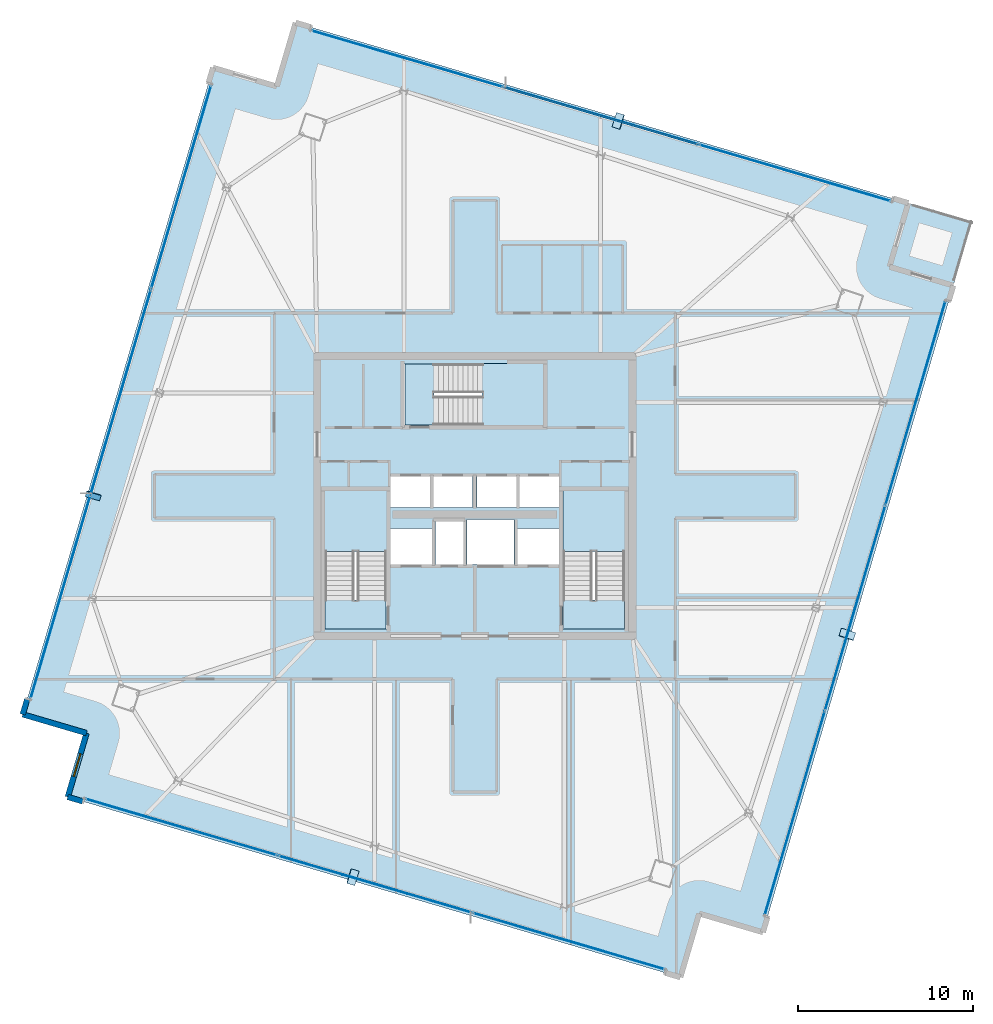
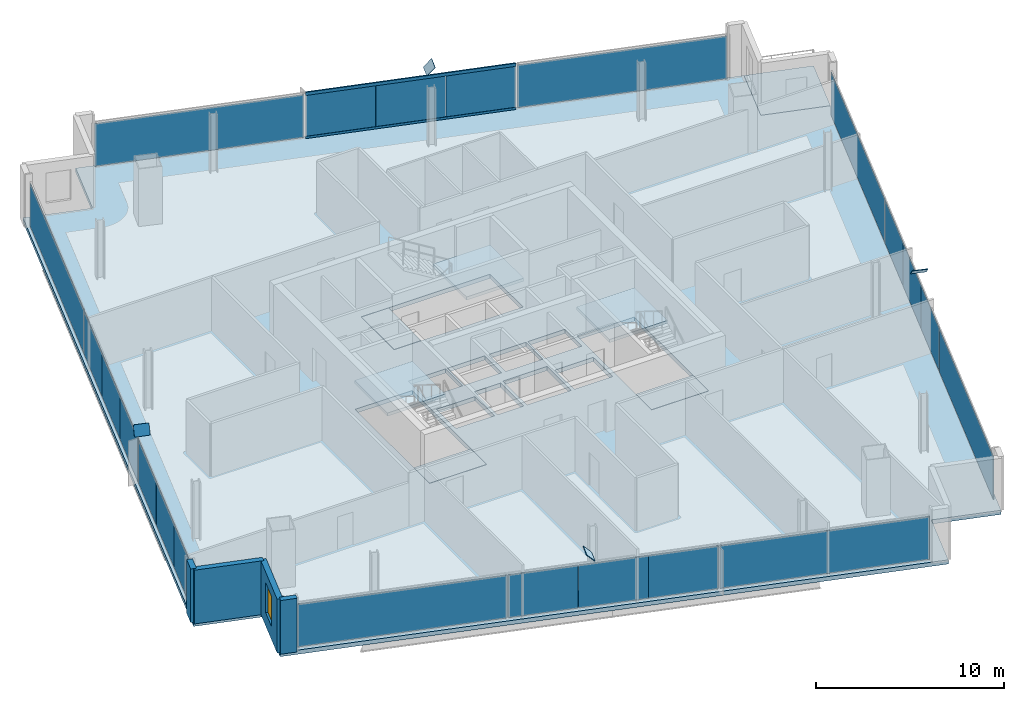
# One storey, part 19 of 26: 26 plates, 8 slabs, 4 walls, 2 members, 1 window, 1 opening, 7 elements without a shape of their own.
"""IFC4 building model written with IfcOpenShell, lengths in metres."""

from ifc_helpers import new_model, si_unit, direction, frame, frame_2d, origin, origin_2d, place, context, subcontext, project, spatial, polyline, rectangle, hollow_rectangle, outline, extrude, source, transform, mapped, material, layer, layer_set, material_profile, profile_set, type_object, element, fill, aggregate, save


model = new_model("IFC4")

# Units and contexts
model_context = context("Model", 3, precision=1e-05, world=origin(), true_north=direction((0.0, 1.0)))
body_context = subcontext(model_context, "Body", "Model", "MODEL_VIEW")
ifc_project = project(units=[si_unit("LENGTHUNIT", "METRE"), si_unit("AREAUNIT", "SQUARE_METRE"), si_unit("VOLUMEUNIT", "CUBIC_METRE"), si_unit("PLANEANGLEUNIT", "RADIAN"), si_unit("MASSUNIT", "GRAM", prefix="KILO")], contexts=[model_context])

# Site, building, storey
site_placement = place(None, origin())
site = spatial("IfcSite", under=ifc_project, at=site_placement, CompositionType="ELEMENT")
building_placement = place(site_placement, origin())
building = spatial("IfcBuilding", under=site, at=building_placement, Name="Haldenkirk Collegiate Tower", CompositionType="ELEMENT")
storey_placement = place(building_placement, frame((0.0, 0.0, 274.949951171875)))
storey = spatial("IfcBuildingStorey", under=building, at=storey_placement, Name="L69", CompositionType="ELEMENT", Elevation=274.949951171875)

# Curtain wall, members
ifc_material_1 = material(Name="Anodised architectural bronze aluminium", Category="aluminium")
curtain_wall_type_1 = type_object("IfcCurtainWallType", Name="CW-SYS1B-CONVEX-HI", PredefinedType="USERDEFINED", material=ifc_material_1)
curtain_wall_1_placement = place(storey_placement, origin())
curtain_wall_1 = element("IfcCurtainWall", 1, at=curtain_wall_1_placement, inside=storey, type_object=curtain_wall_type_1, Name="L69 Upper tower high-wind convex bronze unitised curtain wall", ObjectType="UNITISED CURTAIN WALL", PredefinedType="USERDEFINED")
ifc_material_profile = material_profile(ifc_material_1, hollow_rectangle(XDim=0.0849609375, YDim=0.199951171875, WallThickness=0.0048828125, at=origin_2d()), Name="CW-TRN-1B")
ifc_profile_set = profile_set([ifc_material_profile], Name="Anodised architectural bronze aluminium")
member_type = type_object("IfcMemberType", Name="CW-TRN-1B", PredefinedType="USERDEFINED", material=ifc_profile_set)
member_1_placement = place(storey_placement, frame((37.709228515625, 49.3369140625, 0.04248046875), z_axis=(0.95931194848, -0.282348340713, 0.0), x_axis=(0.282348340713, 0.95931194848, 0.0)))
member_1 = element("IfcMember", 2, at=member_1_placement, type_object=member_type, Name="CW-1B transom 2.1", ObjectType="TRANSOM", PredefinedType="USERDEFINED", context=body_context, shape_type="SweptSolid", body=[
    extrude(hollow_rectangle(XDim=0.0849609375, YDim=0.199951171875, WallThickness=0.0048828125, at=origin_2d()), origin(), (0.0, 0.0, 1.0), 11.473388671875),
])
member_2_placement = place(storey_placement, frame((37.709228515625, 49.3369140625, 2.8955078125), z_axis=(0.95931194848, -0.282348340713, 0.0), x_axis=(0.282348340713, 0.95931194848, 0.0)))
member_2 = element("IfcMember", 3, at=member_2_placement, type_object=member_type, Name="CW-1B transom 2.2", ObjectType="TRANSOM", PredefinedType="USERDEFINED", context=body_context, shape_type="SweptSolid", body=[
    extrude(hollow_rectangle(XDim=0.0849609375, YDim=0.199951171875, WallThickness=0.0048828125, at=origin_2d()), origin(), (0.0, 0.0, 1.0), 11.473388671875),
])

# Slab
ifc_material_2 = material(Name="Concrete f'c 40 MPa", Category="concrete")
ifc_layer_1 = layer(ifc_material_2, 0.27001953125)
ifc_layer_set_1 = layer_set([ifc_layer_1], Name="Concrete f'c 40 MPa")
slab_type_1 = type_object("IfcSlabType", Name="SLB-FLR-270", PredefinedType="FLOOR", material=ifc_layer_set_1)
slab_1_placement = place(storey_placement, frame((0.0, 0.0, -0.27001953125)))
element("IfcSlab", 4, at=slab_1_placement, inside=storey, type_object=slab_type_1, Name="L69 composite structural floor slab", PredefinedType="FLOOR", context=body_context, shape_type="SweptSolid", body=[
    extrude(outline(polyline([(52.461181640625, 1.0888671875), (63.331298828125, 38.0224609375), (59.68603515625, 39.09521484375), (60.7587890625, 42.740478515625), (25.767822265625, 53.0390625), (24.695068359375, 49.393798828125), (21.0498046875, 50.466552734375), (10.179443359375, 13.532958984375), (13.824951171875, 12.460205078125), (12.751953125, 8.814697265625), (47.742919921875, -1.483642578125), (48.81591796875, 2.16162109375), (52.461181640625, 1.0888671875)]), holes=[polyline([(27.449951171875, 18.39990234375), (30.949951171875, 18.39990234375), (30.949951171875, 26.300048828125), (27.449951171875, 26.300048828125), (27.449951171875, 18.39990234375)]), polyline([(41.050048828125, 18.39990234375), (44.550048828125, 18.39990234375), (44.550048828125, 26.300048828125), (41.050048828125, 26.300048828125), (41.050048828125, 18.39990234375)]), polyline([(32.0, 30.050048828125), (39.89990234375, 30.050048828125), (39.89990234375, 33.550048828125), (32.0, 33.550048828125), (32.0, 30.050048828125)]), polyline([(33.75, 22.10009765625), (35.35009765625, 22.10009765625), (35.35009765625, 24.550048828125), (33.75, 24.550048828125), (33.75, 22.10009765625)]), polyline([(31.199951171875, 25.35009765625), (33.47998046875, 25.35009765625), (33.47998046875, 27.14990234375), (31.199951171875, 27.14990234375), (31.199951171875, 25.35009765625)]), polyline([(33.60009765625, 25.35009765625), (35.8798828125, 25.35009765625), (35.8798828125, 27.14990234375), (33.60009765625, 27.14990234375), (33.60009765625, 25.35009765625)]), polyline([(36.1201171875, 25.35009765625), (38.39990234375, 25.35009765625), (38.39990234375, 27.14990234375), (36.1201171875, 27.14990234375), (36.1201171875, 25.35009765625)]), polyline([(38.52001953125, 25.35009765625), (40.800048828125, 25.35009765625), (40.800048828125, 27.14990234375), (38.52001953125, 27.14990234375), (38.52001953125, 25.35009765625)]), polyline([(31.199951171875, 22.10009765625), (33.550048828125, 22.10009765625), (33.550048828125, 24.14990234375), (31.199951171875, 24.14990234375), (31.199951171875, 22.10009765625)]), polyline([(38.449951171875, 22.10009765625), (40.800048828125, 22.10009765625), (40.800048828125, 24.14990234375), (38.449951171875, 24.14990234375), (38.449951171875, 22.10009765625)]), polyline([(35.550048828125, 22.10009765625), (38.25, 22.10009765625), (38.25, 24.64990234375), (35.550048828125, 24.64990234375), (35.550048828125, 22.10009765625)])]), origin(), (0.0, 0.0, 1.0), 0.27001953125),
])

# Stair, slab
stair_type = type_object("IfcStairType", Name="STR-DOGLEG-1650", PredefinedType="HALF_TURN_STAIR", material=ifc_material_2)
stair_1_placement = place(storey_placement, origin())
stair_1 = element("IfcStair", 5, at=stair_1_placement, inside=storey, type_object=stair_type, Name="L69 Core Exit Stair ST-1", PredefinedType="HALF_TURN_STAIR")
ifc_layer_2 = layer(ifc_material_2, 0.199951171875)
ifc_layer_set_2 = layer_set([ifc_layer_2], Name="Concrete f'c 40 MPa")
slab_type_2 = type_object("IfcSlabType", Name="SLB-LANDING-200", PredefinedType="LANDING", material=ifc_layer_set_2)
slab_2_placement = place(storey_placement, frame((0.0, 0.0, 1.675048828125)))
slab_2 = element("IfcSlab", 6, at=slab_2_placement, type_object=slab_type_2, Name="ST-1 landing 1", PredefinedType="LANDING", context=body_context, shape_type="SweptSolid", body=[
    extrude(outline(polyline([(30.97509765625, 22.824951171875), (27.425048828125, 22.824951171875), (27.425048828125, 26.324951171875), (30.97509765625, 26.324951171875), (30.97509765625, 22.824951171875)])), origin(), (0.0, 0.0, 1.0), 0.199951171875),
])
aggregate(stair_1, [slab_2])

stair_2_placement = place(storey_placement, origin())
stair_2 = element("IfcStair", 7, at=stair_2_placement, inside=storey, type_object=stair_type, Name="L69 Core Exit Stair ST-2", PredefinedType="HALF_TURN_STAIR")
slab_3_placement = place(storey_placement, frame((0.0, 0.0, 1.675048828125)))
slab_3 = element("IfcSlab", 8, at=slab_3_placement, type_object=slab_type_2, Name="ST-2 landing 1", PredefinedType="LANDING", context=body_context, shape_type="SweptSolid", body=[
    extrude(outline(polyline([(44.574951171875, 22.824951171875), (41.02490234375, 22.824951171875), (41.02490234375, 26.324951171875), (44.574951171875, 26.324951171875), (44.574951171875, 22.824951171875)])), origin(), (0.0, 0.0, 1.0), 0.199951171875),
])
aggregate(stair_2, [slab_3])

stair_3_placement = place(storey_placement, origin())
stair_3 = element("IfcStair", 9, at=stair_3_placement, inside=storey, type_object=stair_type, Name="L69 Core Exit Stair ST-3", PredefinedType="HALF_TURN_STAIR")
slab_4_placement = place(storey_placement, frame((0.0, 0.0, 1.675048828125)))
slab_4 = element("IfcSlab", 10, at=slab_4_placement, type_object=slab_type_2, Name="ST-3 landing 1", PredefinedType="LANDING", context=body_context, shape_type="SweptSolid", body=[
    extrude(outline(polyline([(36.425048828125, 30.02490234375), (36.425048828125, 33.574951171875), (39.925048828125, 33.574951171875), (39.925048828125, 30.02490234375), (36.425048828125, 30.02490234375)])), origin(), (0.0, 0.0, 1.0), 0.199951171875),
])
aggregate(stair_3, [slab_4])

# Slabs
ifc_layer_3 = layer(ifc_material_2, 0.25)
ifc_layer_set_3 = layer_set([ifc_layer_3], Name="Concrete f'c 40 MPa")
slab_type_3 = type_object("IfcSlabType", Name="SLB-STAIRLAND-250", PredefinedType="LANDING", material=ifc_layer_set_3)
slab_5_placement = place(storey_placement, frame((0.0, 0.0, -0.25)))
element("IfcSlab", 11, at=slab_5_placement, inside=storey, type_object=slab_type_3, Name="L69 stair ST1 structural floor landing slab", PredefinedType="LANDING", context=body_context, shape_type="SweptSolid", body=[
    extrude(outline(polyline([(27.4599609375, 18.409912109375), (30.93994140625, 18.409912109375), (30.93994140625, 20.080078125), (27.4599609375, 20.080078125), (27.4599609375, 18.409912109375)])), origin(), (0.0, 0.0, 1.0), 0.25),
])
slab_6_placement = place(storey_placement, frame((0.0, 0.0, -0.25)))
element("IfcSlab", 12, at=slab_6_placement, inside=storey, type_object=slab_type_3, Name="L69 stair ST2 structural floor landing slab", PredefinedType="LANDING", context=body_context, shape_type="SweptSolid", body=[
    extrude(outline(polyline([(41.06005859375, 18.409912109375), (44.5400390625, 18.409912109375), (44.5400390625, 20.080078125), (41.06005859375, 20.080078125), (41.06005859375, 18.409912109375)])), origin(), (0.0, 0.0, 1.0), 0.25),
])
slab_7_placement = place(storey_placement, frame((0.0, 0.0, -0.25)))
element("IfcSlab", 13, at=slab_7_placement, inside=storey, type_object=slab_type_3, Name="L69 stair ST3 structural floor landing slab", PredefinedType="LANDING", context=body_context, shape_type="SweptSolid", body=[
    extrude(outline(polyline([(32.010009765625, 30.06005859375), (33.679931640625, 30.06005859375), (33.679931640625, 33.5400390625), (32.010009765625, 33.5400390625), (32.010009765625, 30.06005859375)])), origin(), (0.0, 0.0, 1.0), 0.25),
])
ifc_layer_4 = layer(ifc_material_2, 0.22998046875)
ifc_layer_set_4 = layer_set([ifc_layer_4], Name="Concrete f'c 40 MPa")
slab_type_4 = type_object("IfcSlabType", Name="SLB-TERR-SPIRAL-230", PredefinedType="FLOOR", material=ifc_layer_set_4)
slab_8_placement = place(storey_placement, frame((0.0, 0.0, -0.22998046875)))
element("IfcSlab", 14, at=slab_8_placement, inside=storey, type_object=slab_type_4, Name="L69 spiralling corner terrace slab", PredefinedType="FLOOR", context=body_context, shape_type="SweptSolid", body=[
    extrude(outline(polyline([(63.331298828125, 38.0224609375), (64.404296875, 41.667724609375), (60.7587890625, 42.740478515625), (59.68603515625, 39.09521484375), (63.331298828125, 38.0224609375)])), origin(), (0.0, 0.0, 1.0), 0.22998046875),
])

# Plates
ifc_material_3 = material(Name="Steel ASTM A572 Grade 50", Category="steel")
ifc_layer_5 = layer(ifc_material_3, 0.034912109375)
ifc_layer_set_5 = layer_set([ifc_layer_5], Name="Steel ASTM A572 Grade 50")
plate_type_1 = type_object("IfcPlateType", Name="PLT-CAP-EXT-760X600", PredefinedType="USERDEFINED", material=ifc_layer_set_5)
shared_shape_1 = source(origin(), body_context, "Body", "SweptSolid", [
    extrude(rectangle(XDim=0.860107421875, YDim=0.659912109375, at=origin_2d()), origin(), (0.0, 0.0, 1.0), 0.034912109375),
])
for number, where, z_axis, x_axis, name in (
    (15, (57.273193359375, 18.08984375, 3.468017578125), (0.233503014049, 0.707188042548, 0.667354040152), (-0.949576295566, 0.313536056777, -3.4729e-08), "Perimeter Mega Brace Z5 L67-L69 SL end cap plate 2"),
    (16, (44.20654296875, 47.425537109375, 3.468017578125), (-0.690077881122, 0.2171059626, 0.690403881066), (-0.300108459614, -0.95390508567, 3.9388e-07), "Perimeter Mega Brace Z5 L67-L69 EL end cap plate 2"),
    (17, (14.210205078125, 26.0283203125, 3.46875), (-0.252051050649, -0.841553169108, 0.477764096005), (0.957956144289, -0.286914666091, -1.96475e-07), "Perimeter Mega Brace Z5 L67-L69 NL end cap plate 2"),
    (18, (29.02587890625, 4.23828125, 3.4677734375), (0.689271162879, -0.211775050044, 0.692861163728), (0.29369553424, 0.95589901829, -4.32963e-07), "Perimeter Mega Brace Z5 L67-L69 WL end cap plate 2"),
):
    element("IfcPlate", number, at=place(storey_placement, frame(where, z_axis=z_axis, x_axis=x_axis)), inside=storey, type_object=plate_type_1, Name=name, ObjectType="END CAP PLATE", PredefinedType="USERDEFINED", context=body_context, shape_type="MappedRepresentation", body=[
        mapped(shared_shape_1, transform((0.0, 0.0, 0.0), x_axis=(1.0, 0.0, 0.0), y_axis=(0.0, 1.0, 0.0), z_axis=(0.0, 0.0, 1.0), scale=1.0)),
    ])

# Curtain wall, plates
curtain_wall_type_2 = type_object("IfcCurtainWallType", Name="CW-SYS2-CONCAVE", PredefinedType="USERDEFINED", material=ifc_material_1)
curtain_wall_2_placement = place(storey_placement, origin())
curtain_wall_2 = element("IfcCurtainWall", 19, at=curtain_wall_2_placement, inside=storey, type_object=curtain_wall_type_2, Name="L69 South concave recessed bronze-anodised curtain wall", ObjectType="UNITISED CURTAIN WALL", PredefinedType="USERDEFINED")
ifc_material_4 = material(Name="Bronze-anodised insulated aluminium spandrel panel", Category="aluminium")
ifc_layer_6 = layer(ifc_material_4, 0.0419921875)
ifc_layer_set_6 = layer_set([ifc_layer_6], Name="Bronze-anodised insulated aluminium spandrel panel")
plate_type_2 = type_object("IfcPlateType", Name="CW-SPD-02", PredefinedType="CURTAIN_PANEL", material=ifc_layer_set_6)
shared_shape_2 = source(origin(), body_context, "Body", "SweptSolid", [
    extrude(rectangle(XDim=4.02783203125, YDim=0.0419921875, at=origin_2d()), origin(), (0.0, 0.0, 1.0), 2.7880859375),
])
plate_1_placement = place(storey_placement, frame((57.7236328125, 19.6064453125, 0.074951171875), z_axis=(0.0, 0.0, 1.0), x_axis=(-0.282340836558, -0.9593141571, 0.0)))
plate_1 = element("IfcPlate", 20, at=plate_1_placement, type_object=plate_type_2, Name="CW-02 spandrel panel 2.1b", PredefinedType="CURTAIN_PANEL", context=body_context, shape_type="MappedRepresentation", body=[
    mapped(shared_shape_2, transform((0.0, 0.0, 0.0), x_axis=(1.0, 0.0, 0.0), y_axis=(0.0, 1.0, 0.0), z_axis=(0.0, 0.0, 1.0), scale=1.0)),
])
shared_shape_3 = source(origin(), body_context, "Body", "SweptSolid", [
    extrude(rectangle(XDim=4.040283203125, YDim=0.0419921875, at=origin_2d()), origin(), (0.0, 0.0, 1.0), 2.7880859375),
])
plate_2_placement = place(storey_placement, frame((58.86962890625, 23.500244140625, 0.074951171875), z_axis=(0.0, 0.0, 1.0), x_axis=(-0.282340836558, -0.9593141571, 0.0)))
plate_2 = element("IfcPlate", 21, at=plate_2_placement, type_object=plate_type_2, Name="CW-02 spandrel panel 2.1a", PredefinedType="CURTAIN_PANEL", context=body_context, shape_type="MappedRepresentation", body=[
    mapped(shared_shape_3, transform((0.0, 0.0, 0.0), x_axis=(1.0, 0.0, 0.0), y_axis=(0.0, 1.0, 0.0), z_axis=(0.0, 0.0, 1.0), scale=1.0)),
])
plate_3_placement = place(storey_placement, frame((56.57763671875, 15.71240234375, 0.074951171875), z_axis=(0.0, 0.0, 1.0), x_axis=(-0.282340836558, -0.9593141571, 0.0)))
plate_3 = element("IfcPlate", 22, at=plate_3_placement, type_object=plate_type_2, Name="CW-02 spandrel panel 2.1c", PredefinedType="CURTAIN_PANEL", context=body_context, shape_type="MappedRepresentation", body=[
    mapped(shared_shape_3, transform((0.0, 0.0, 0.0), x_axis=(1.0, 0.0, 0.0), y_axis=(0.0, 1.0, 0.0), z_axis=(0.0, 0.0, 1.0), scale=1.0)),
])

# Plate
ifc_layer_7 = layer(ifc_material_4, 0.048095703125)
ifc_layer_set_7 = layer_set([ifc_layer_7], Name="Bronze-anodised insulated aluminium spandrel panel")
plate_type_3 = type_object("IfcPlateType", Name="CW-SPD-1B", PredefinedType="CURTAIN_PANEL", material=ifc_layer_set_7)
shared_shape_4 = source(origin(), body_context, "Body", "SweptSolid", [
    extrude(rectangle(XDim=3.81201171875, YDim=0.048095703125, at=origin_2d()), origin(), (0.0, 0.0, 1.0), 2.76806640625),
])
plate_4_placement = place(storey_placement, frame((39.537841796875, 48.798583984375, 0.0849609375), z_axis=(0.0, 0.0, 1.0), x_axis=(0.959313868809, -0.282341816085, 0.0)))
plate_4 = element("IfcPlate", 23, at=plate_4_placement, type_object=plate_type_3, Name="CW-1B spandrel panel 2.1a", PredefinedType="CURTAIN_PANEL", context=body_context, shape_type="MappedRepresentation", body=[
    mapped(shared_shape_4, transform((0.0, 0.0, 0.0), x_axis=(1.0, 0.0, 0.0), y_axis=(0.0, 1.0, 0.0), z_axis=(0.0, 0.0, 1.0), scale=1.0)),
])

plate_5_placement = place(storey_placement, frame((46.887451171875, 46.635498046875, 0.0849609375), z_axis=(0.0, 0.0, 1.0), x_axis=(0.959313868809, -0.282341816085, 0.0)))
plate_5 = element("IfcPlate", 24, at=plate_5_placement, type_object=plate_type_3, Name="CW-1B spandrel panel 2.1c", PredefinedType="CURTAIN_PANEL", context=body_context, shape_type="MappedRepresentation", body=[
    mapped(shared_shape_4, transform((0.0, 0.0, 0.0), x_axis=(1.0, 0.0, 0.0), y_axis=(0.0, 1.0, 0.0), z_axis=(0.0, 0.0, 1.0), scale=1.0)),
])

# Curtain wall, plates
curtain_wall_3_placement = place(storey_placement, origin())
curtain_wall_3 = element("IfcCurtainWall", 25, at=curtain_wall_3_placement, inside=storey, type_object=curtain_wall_type_1, Name="L69 Upper tower high-wind convex bronze unitised curtain wall", ObjectType="UNITISED CURTAIN WALL", PredefinedType="USERDEFINED")
plate_6_placement = place(storey_placement, frame((33.97314453125, 2.756591796875, 0.0849609375), z_axis=(0.0, 0.0, 1.0), x_axis=(-0.959313868809, 0.282341816085, 0.0)))
plate_6 = element("IfcPlate", 26, at=plate_6_placement, type_object=plate_type_3, Name="CW-1B spandrel panel 2.1a", PredefinedType="CURTAIN_PANEL", context=body_context, shape_type="MappedRepresentation", body=[
    mapped(shared_shape_4, transform((0.0, 0.0, 0.0), x_axis=(1.0, 0.0, 0.0), y_axis=(0.0, 1.0, 0.0), z_axis=(0.0, 0.0, 1.0), scale=1.0)),
])
plate_7_placement = place(storey_placement, frame((26.62353515625, 4.919921875, 0.0849609375), z_axis=(0.0, 0.0, 1.0), x_axis=(-0.959313868809, 0.282341816085, 0.0)))
plate_7 = element("IfcPlate", 27, at=plate_7_placement, type_object=plate_type_3, Name="CW-1B spandrel panel 2.1c", PredefinedType="CURTAIN_PANEL", context=body_context, shape_type="MappedRepresentation", body=[
    mapped(shared_shape_4, transform((0.0, 0.0, 0.0), x_axis=(1.0, 0.0, 0.0), y_axis=(0.0, 1.0, 0.0), z_axis=(0.0, 0.0, 1.0), scale=1.0)),
])

# Plate
shared_shape_5 = source(origin(), body_context, "Body", "SweptSolid", [
    extrude(rectangle(XDim=3.79931640625, YDim=0.048095703125, at=origin_2d()), origin(), (0.0, 0.0, 1.0), 2.76806640625),
])
plate_8_placement = place(storey_placement, frame((43.212646484375, 47.717041015625, 0.0849609375), z_axis=(0.0, 0.0, 1.0), x_axis=(0.959313868809, -0.282341816085, 0.0)))
plate_8 = element("IfcPlate", 28, at=plate_8_placement, type_object=plate_type_3, Name="CW-1B spandrel panel 2.1b", PredefinedType="CURTAIN_PANEL", context=body_context, shape_type="MappedRepresentation", body=[
    mapped(shared_shape_5, transform((0.0, 0.0, 0.0), x_axis=(1.0, 0.0, 0.0), y_axis=(0.0, 1.0, 0.0), z_axis=(0.0, 0.0, 1.0), scale=1.0)),
])

plate_9_placement = place(storey_placement, frame((30.29833984375, 3.838134765625, 0.0849609375), z_axis=(0.0, 0.0, 1.0), x_axis=(-0.959313868809, 0.282341816085, 0.0)))
plate_9 = element("IfcPlate", 29, at=plate_9_placement, type_object=plate_type_3, Name="CW-1B spandrel panel 2.1b", PredefinedType="CURTAIN_PANEL", context=body_context, shape_type="MappedRepresentation", body=[
    mapped(shared_shape_5, transform((0.0, 0.0, 0.0), x_axis=(1.0, 0.0, 0.0), y_axis=(0.0, 1.0, 0.0), z_axis=(0.0, 0.0, 1.0), scale=1.0)),
])

# Curtain wall, plates
curtain_wall_4_placement = place(storey_placement, origin())
curtain_wall_4 = element("IfcCurtainWall", 30, at=curtain_wall_4_placement, inside=storey, type_object=curtain_wall_type_1, Name="L69 Upper tower high-wind convex bronze unitised curtain wall", ObjectType="UNITISED CURTAIN WALL", PredefinedType="USERDEFINED")
ifc_material_5 = material(Name="Low-E argon triple insulating glass", Category="glass")
ifc_layer_8 = layer(ifc_material_5, 0.048095703125)
ifc_layer_set_8 = layer_set([ifc_layer_8], Name="Low-E argon triple insulating glass")
plate_type_4 = type_object("IfcPlateType", Name="CW-PNL-1B", PredefinedType="CURTAIN_PANEL", material=ifc_layer_set_8)
shared_shape_6 = source(origin(), body_context, "Body", "SweptSolid", [
    extrude(rectangle(XDim=4.022705078125, YDim=0.048095703125, at=origin_2d()), origin(), (0.0, 0.0, 1.0), 2.76806640625),
])
plate_10_placement = place(storey_placement, frame((11.1982421875, 16.356689453125, 0.0849609375), z_axis=(0.0, 0.0, 1.0), x_axis=(0.282344082174, 0.959313201859, 0.0)))
plate_10 = element("IfcPlate", 31, at=plate_10_placement, type_object=plate_type_4, Name="CW-1B panel 1.1a", PredefinedType="CURTAIN_PANEL", context=body_context, shape_type="MappedRepresentation", body=[
    mapped(shared_shape_6, transform((0.0, 0.0, 0.0), x_axis=(1.0, 0.0, 0.0), y_axis=(0.0, 1.0, 0.0), z_axis=(0.0, 0.0, 1.0), scale=1.0)),
])
plate_11_placement = place(storey_placement, frame((13.48046875, 24.11083984375, 0.0849609375), z_axis=(0.0, 0.0, 1.0), x_axis=(0.282344082174, 0.959313201859, 0.0)))
plate_11 = element("IfcPlate", 32, at=plate_11_placement, type_object=plate_type_3, Name="CW-1B spandrel panel 1.1c", PredefinedType="CURTAIN_PANEL", context=body_context, shape_type="MappedRepresentation", body=[
    mapped(shared_shape_6, transform((0.0, 0.0, 0.0), x_axis=(1.0, 0.0, 0.0), y_axis=(0.0, 1.0, 0.0), z_axis=(0.0, 0.0, 1.0), scale=1.0)),
])
shared_shape_7 = source(origin(), body_context, "Body", "SweptSolid", [
    extrude(rectangle(XDim=4.01025390625, YDim=0.048095703125, at=origin_2d()), origin(), (0.0, 0.0, 1.0), 2.76806640625),
])
plate_12_placement = place(storey_placement, frame((12.33935546875, 20.23388671875, 0.0849609375), z_axis=(0.0, 0.0, 1.0), x_axis=(0.282344082174, 0.959313201859, 0.0)))
plate_12 = element("IfcPlate", 33, at=plate_12_placement, type_object=plate_type_4, Name="CW-1B panel 1.1b", PredefinedType="CURTAIN_PANEL", context=body_context, shape_type="MappedRepresentation", body=[
    mapped(shared_shape_7, transform((0.0, 0.0, 0.0), x_axis=(1.0, 0.0, 0.0), y_axis=(0.0, 1.0, 0.0), z_axis=(0.0, 0.0, 1.0), scale=1.0)),
])
shared_shape_8 = source(origin(), body_context, "Body", "SweptSolid", [
    extrude(rectangle(XDim=4.036865234375, YDim=0.048095703125, at=origin_2d()), origin(), (0.0, 0.0, 1.0), 2.76806640625),
])
plate_13_placement = place(storey_placement, frame((14.64208984375, 28.058349609375, 0.0849609375), z_axis=(0.0, 0.0, 1.0), x_axis=(0.282344082174, 0.959313201859, 0.0)))
plate_13 = element("IfcPlate", 34, at=plate_13_placement, type_object=plate_type_3, Name="CW-1B spandrel panel 2.1a", PredefinedType="CURTAIN_PANEL", context=body_context, shape_type="MappedRepresentation", body=[
    mapped(shared_shape_8, transform((0.0, 0.0, 0.0), x_axis=(1.0, 0.0, 0.0), y_axis=(0.0, 1.0, 0.0), z_axis=(0.0, 0.0, 1.0), scale=1.0)),
])
plate_14_placement = place(storey_placement, frame((16.932373046875, 35.839599609375, 0.0849609375), z_axis=(0.0, 0.0, 1.0), x_axis=(0.282344082174, 0.959313201859, 0.0)))
plate_14 = element("IfcPlate", 35, at=plate_14_placement, type_object=plate_type_4, Name="CW-1B panel 2.1c", PredefinedType="CURTAIN_PANEL", context=body_context, shape_type="MappedRepresentation", body=[
    mapped(shared_shape_8, transform((0.0, 0.0, 0.0), x_axis=(1.0, 0.0, 0.0), y_axis=(0.0, 1.0, 0.0), z_axis=(0.0, 0.0, 1.0), scale=1.0)),
])
shared_shape_9 = source(origin(), body_context, "Body", "SweptSolid", [
    extrude(rectangle(XDim=4.0244140625, YDim=0.048095703125, at=origin_2d()), origin(), (0.0, 0.0, 1.0), 2.76806640625),
])
plate_15_placement = place(storey_placement, frame((15.787353515625, 31.948974609375, 0.0849609375), z_axis=(0.0, 0.0, 1.0), x_axis=(0.282344082174, 0.959313201859, 0.0)))
plate_15 = element("IfcPlate", 36, at=plate_15_placement, type_object=plate_type_3, Name="CW-1B spandrel panel 2.1b", PredefinedType="CURTAIN_PANEL", context=body_context, shape_type="MappedRepresentation", body=[
    mapped(shared_shape_9, transform((0.0, 0.0, 0.0), x_axis=(1.0, 0.0, 0.0), y_axis=(0.0, 1.0, 0.0), z_axis=(0.0, 0.0, 1.0), scale=1.0)),
])

# Plate
ifc_layer_9 = layer(ifc_material_5, 0.0419921875)
ifc_layer_set_9 = layer_set([ifc_layer_9], Name="Low-E argon triple insulating glass")
plate_type_5 = type_object("IfcPlateType", Name="CW-PNL-02", PredefinedType="CURTAIN_PANEL", material=ifc_layer_set_9)
shared_shape_10 = source(origin(), body_context, "Body", "SweptSolid", [
    extrude(rectangle(XDim=12.120849609375, YDim=0.0419921875, at=origin_2d()), origin(), (0.0, 0.0, 1.0), 2.7880859375),
])
plate_16_placement = place(storey_placement, frame((61.17236328125, 31.323974609375, 0.074951171875), z_axis=(0.0, 0.0, 1.0), x_axis=(-0.282340836558, -0.9593141571, 0.0)))
plate_16 = element("IfcPlate", 37, at=plate_16_placement, type_object=plate_type_5, Name="CW-02 panel 1.1", PredefinedType="CURTAIN_PANEL", context=body_context, shape_type="MappedRepresentation", body=[
    mapped(shared_shape_10, transform((0.0, 0.0, 0.0), x_axis=(1.0, 0.0, 0.0), y_axis=(0.0, 1.0, 0.0), z_axis=(0.0, 0.0, 1.0), scale=1.0)),
])

plate_17_placement = place(storey_placement, frame((54.27490234375, 7.888671875, 0.074951171875), z_axis=(0.0, 0.0, 1.0), x_axis=(-0.282340836558, -0.9593141571, 0.0)))
plate_17 = element("IfcPlate", 38, at=plate_17_placement, type_object=plate_type_5, Name="CW-02 panel 3.1", PredefinedType="CURTAIN_PANEL", context=body_context, shape_type="MappedRepresentation", body=[
    mapped(shared_shape_10, transform((0.0, 0.0, 0.0), x_axis=(1.0, 0.0, 0.0), y_axis=(0.0, 1.0, 0.0), z_axis=(0.0, 0.0, 1.0), scale=1.0)),
])

aggregate(curtain_wall_2, [plate_16, plate_2, plate_1, plate_3, plate_17])

shared_shape_11 = source(origin(), body_context, "Body", "SweptSolid", [
    extrude(rectangle(XDim=11.430908203125, YDim=0.048095703125, at=origin_2d()), origin(), (0.0, 0.0, 1.0), 2.76806640625),
])
plate_18_placement = place(storey_placement, frame((32.14501953125, 50.974609375, 0.0849609375), z_axis=(0.0, 0.0, 1.0), x_axis=(0.959313868809, -0.282341816085, 0.0)))
plate_18 = element("IfcPlate", 39, at=plate_18_placement, type_object=plate_type_4, Name="CW-1B panel 1.1", PredefinedType="CURTAIN_PANEL", context=body_context, shape_type="MappedRepresentation", body=[
    mapped(shared_shape_11, transform((0.0, 0.0, 0.0), x_axis=(1.0, 0.0, 0.0), y_axis=(0.0, 1.0, 0.0), z_axis=(0.0, 0.0, 1.0), scale=1.0)),
])

plate_19_placement = place(storey_placement, frame((54.2802734375, 44.459716796875, 0.0849609375), z_axis=(0.0, 0.0, 1.0), x_axis=(0.959313868809, -0.282341816085, 0.0)))
plate_19 = element("IfcPlate", 40, at=plate_19_placement, type_object=plate_type_4, Name="CW-1B panel 3.1", PredefinedType="CURTAIN_PANEL", context=body_context, shape_type="MappedRepresentation", body=[
    mapped(shared_shape_11, transform((0.0, 0.0, 0.0), x_axis=(1.0, 0.0, 0.0), y_axis=(0.0, 1.0, 0.0), z_axis=(0.0, 0.0, 1.0), scale=1.0)),
])

aggregate(curtain_wall_1, [plate_18, member_1, member_2, plate_4, plate_8, plate_5, plate_19])

plate_20_placement = place(storey_placement, frame((41.365966796875, 0.580810546875, 0.0849609375), z_axis=(0.0, 0.0, 1.0), x_axis=(-0.959313868809, 0.282341816085, 0.0)))
plate_20 = element("IfcPlate", 41, at=plate_20_placement, type_object=plate_type_4, Name="CW-1B panel 1.1", PredefinedType="CURTAIN_PANEL", context=body_context, shape_type="MappedRepresentation", body=[
    mapped(shared_shape_11, transform((0.0, 0.0, 0.0), x_axis=(1.0, 0.0, 0.0), y_axis=(0.0, 1.0, 0.0), z_axis=(0.0, 0.0, 1.0), scale=1.0)),
])

plate_21_placement = place(storey_placement, frame((19.230712890625, 7.095703125, 0.0849609375), z_axis=(0.0, 0.0, 1.0), x_axis=(-0.959313868809, 0.282341816085, 0.0)))
plate_21 = element("IfcPlate", 42, at=plate_21_placement, type_object=plate_type_4, Name="CW-1B panel 3.1", PredefinedType="CURTAIN_PANEL", context=body_context, shape_type="MappedRepresentation", body=[
    mapped(shared_shape_11, transform((0.0, 0.0, 0.0), x_axis=(1.0, 0.0, 0.0), y_axis=(0.0, 1.0, 0.0), z_axis=(0.0, 0.0, 1.0), scale=1.0)),
])

aggregate(curtain_wall_3, [plate_20, plate_6, plate_9, plate_7, plate_21])

shared_shape_12 = source(origin(), body_context, "Body", "SweptSolid", [
    extrude(rectangle(XDim=12.105712890625, YDim=0.048095703125, at=origin_2d()), origin(), (0.0, 0.0, 1.0), 2.76806640625),
])
plate_22_placement = place(storey_placement, frame((19.2353515625, 43.6640625, 0.0849609375), z_axis=(0.0, 0.0, 1.0), x_axis=(0.282344082174, 0.959313201859, 0.0)))
plate_22 = element("IfcPlate", 43, at=plate_22_placement, type_object=plate_type_4, Name="CW-1B panel 3.1", PredefinedType="CURTAIN_PANEL", context=body_context, shape_type="MappedRepresentation", body=[
    mapped(shared_shape_12, transform((0.0, 0.0, 0.0), x_axis=(1.0, 0.0, 0.0), y_axis=(0.0, 1.0, 0.0), z_axis=(0.0, 0.0, 1.0), scale=1.0)),
])

aggregate(curtain_wall_4, [plate_10, plate_12, plate_11, plate_13, plate_15, plate_14, plate_22])

# Walls
ifc_material_6 = material(Name="Precast concrete f'c 40 MPa", Category="concrete")
ifc_layer_10 = layer(ifc_material_6, 0.320068359375)
ifc_layer_set_10 = layer_set([ifc_layer_10], Name="Precast concrete f'c 40 MPa")
wall_type = type_object("IfcWallType", Name="WL-EXT-TWR-320", PredefinedType="STANDARD", material=ifc_layer_set_10)
wall_1_placement = place(storey_placement, frame((10.179443359375, 13.532958984375, 0.0), z_axis=(0.0, 0.0, 1.0), x_axis=(0.282342527421, 0.959313659451, 0.0)))
element("IfcWall", 44, at=wall_1_placement, inside=storey, type_object=wall_type, Name="L69 precast corner pier NL", PredefinedType="STANDARD", context=body_context, shape_type="SweptSolid", body=[
    extrude(rectangle(XDim=0.900146484375, YDim=0.320068359375, at=frame_2d((0.4501953125, 0.0))), origin(), (0.0, 0.0, 1.0), 3.47998046875),
])
wall_2_placement = place(storey_placement, frame((13.824951171875, 12.460205078125, 0.0), z_axis=(0.0, 0.0, 1.0), x_axis=(-0.959326617281, 0.282298496942, 0.0)))
element("IfcWall", 45, at=wall_2_placement, inside=storey, type_object=wall_type, Name="L69 bronze precast notch wall 08", PredefinedType="STANDARD", context=body_context, shape_type="SweptSolid", body=[
    extrude(rectangle(XDim=3.800048828125, YDim=0.320068359375, at=frame_2d((1.89990234375, 0.0))), origin(), (0.0, 0.0, 1.0), 3.47998046875),
])

# Wall, opening, window
wall_3_placement = place(storey_placement, frame((12.751953125, 8.814697265625, 0.0), z_axis=(0.0, 0.0, 1.0), x_axis=(0.282357621742, 0.959309216804, 0.0)))
wall_3 = element("IfcWall", 46, at=wall_3_placement, inside=storey, type_object=wall_type, Name="L69 bronze precast notch wall 09", PredefinedType="STANDARD", context=body_context, shape_type="SweptSolid", body=[
    extrude(rectangle(XDim=3.800048828125, YDim=0.320068359375, at=frame_2d((1.89990234375, 0.0))), origin(), (0.0, 0.0, 1.0), 3.47998046875),
])
opening_placement = place(wall_3_placement, frame((1.22509765625, 0.0, 0.85009765625)))
opening = element("IfcOpeningElement", 47, at=opening_placement, cuts=wall_3, Name="Opening W-07", PredefinedType="OPENING", context=body_context, shape_type="SweptSolid", body=[
    extrude(rectangle(XDim=1.35009765625, YDim=1.949951171875, at=frame_2d((0.675048828125, 0.97509765625))), frame((0.0, 0.169921875, 0.0), z_axis=(0.0, -1.0, 0.0), x_axis=(1.0, 0.0, 0.0)), (0.0, 0.0, 1.0), 0.340087890625),
])
ifc_layer_11 = layer(ifc_material_5, 0.090087890625)
ifc_layer_set_11 = layer_set([ifc_layer_11], Name="Low-E argon triple insulating glass")
window_type = type_object("IfcWindowType", Name="WN-Z5-1350X1950", PartitioningType="SINGLE_PANEL", PredefinedType="WINDOW", material=ifc_layer_set_11)
window_placement = place(opening_placement, origin())
window = element("IfcWindow", 48, at=window_placement, inside=storey, type_object=window_type, Name="L69 precast-frame academic window 8", OverallHeight=1.949951171875, OverallWidth=1.35009765625, PartitioningType="SINGLE_PANEL", PredefinedType="WINDOW", context=body_context, shape_type="SweptSolid", body=[
    extrude(rectangle(XDim=1.35009765625, YDim=1.949951171875, at=frame_2d((0.675048828125, 0.97509765625))), frame((0.0, 0.030029296875, 0.0), z_axis=(0.0, -1.0, 0.0), x_axis=(1.0, 0.0, 0.0)), (0.0, 0.0, 1.0), 0.06005859375),
])
fill(opening, window)

# Wall
wall_4_placement = place(storey_placement, frame((13.615478515625, 8.560546875, 0.0), z_axis=(0.0, 0.0, 1.0), x_axis=(-0.959313659451, 0.282342527421, 0.0)))
element("IfcWall", 49, at=wall_4_placement, inside=storey, type_object=wall_type, Name="L69 precast corner pier WR", PredefinedType="STANDARD", context=body_context, shape_type="SweptSolid", body=[
    extrude(rectangle(XDim=0.900146484375, YDim=0.320068359375, at=frame_2d((0.4501953125, 0.0))), origin(), (0.0, 0.0, 1.0), 3.47998046875),
])

save(model, "model.ifc")
